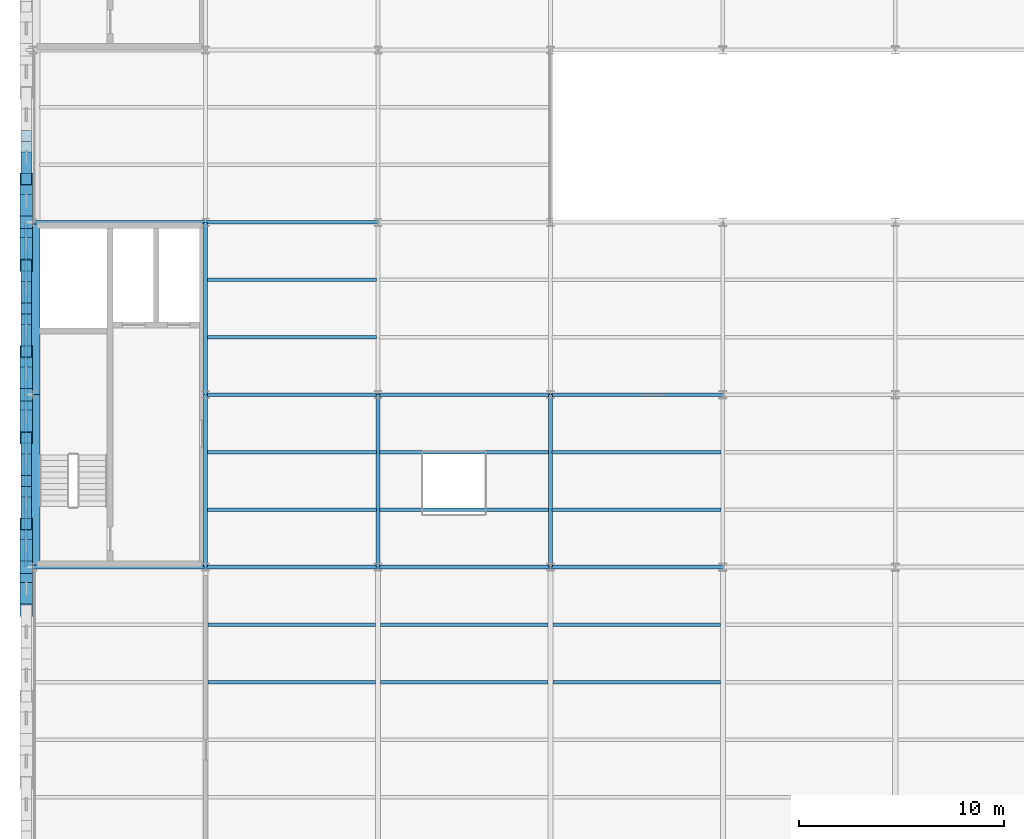
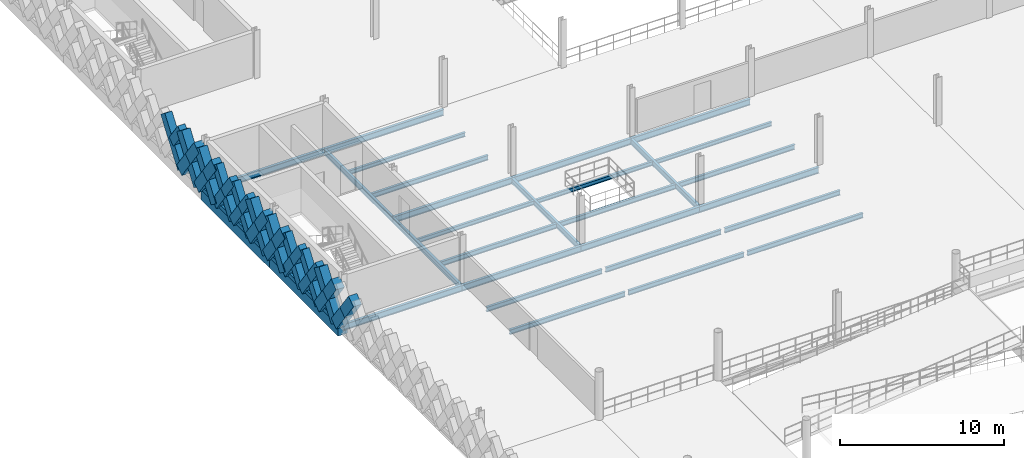
# One storey, part 21 of 79: 33 members, 29 beams.
"""IFC4 building model written with IfcOpenShell, lengths in metres."""

from ifc_helpers import new_model, si_unit, direction, frame, origin, origin_2d, place, context, subcontext, project, spatial, rectangle, hollow_rectangle, i_section, extrude, material, material_profile, profile_set, type_object, element, save


model = new_model("IFC4")

# Units and contexts
model_context = context("Model", 3, precision=1e-05, world=origin(), true_north=direction((0.0, 1.0)))
body_context = subcontext(model_context, "Body", "Model", "MODEL_VIEW")
ifc_project = project(units=[si_unit("LENGTHUNIT", "METRE"), si_unit("AREAUNIT", "SQUARE_METRE"), si_unit("VOLUMEUNIT", "CUBIC_METRE"), si_unit("PLANEANGLEUNIT", "RADIAN"), si_unit("MASSUNIT", "GRAM", prefix="KILO"), si_unit("THERMODYNAMICTEMPERATUREUNIT", "KELVIN"), si_unit("POWERUNIT", "WATT")], contexts=[model_context])

# Site, building, storey
site_placement = place(None, origin())
site = spatial("IfcSite", under=ifc_project, at=site_placement, CompositionType="ELEMENT")
building_placement = place(site_placement, origin())
building = spatial("IfcBuilding", under=site, at=building_placement, Name="Tembeka Court Mobility Hub", CompositionType="ELEMENT")
storey_placement = place(building_placement, frame((0.0, 0.0, 9.0)))
storey = spatial("IfcBuildingStorey", under=building, at=storey_placement, Name="L02", CompositionType="ELEMENT", Elevation=9.0)

# Beams
ifc_material_1 = material(Name="Steel S355", Category="steel")
ifc_material_profile_1 = material_profile(ifc_material_1, i_section(OverallWidth=0.18994140625, OverallDepth=0.45703125, WebThickness=0.009033203125, FlangeThickness=0.014404296875, FilletRadius=0.01025390625, at=origin_2d()), Name="UKB 457x191x74")
ifc_profile_set_1 = profile_set([ifc_material_profile_1], Name="Steel S355")
beam_type_1 = type_object("IfcBeamType", Name="BM-B01", PredefinedType="BEAM", material=ifc_profile_set_1)
beam_1_placement = place(storey_placement, frame((0.0, 38.39990234375, -0.448486328125), z_axis=(1.0, 0.0, 0.0), x_axis=(0.0, 1.0, 0.0)))
element("IfcBeam", 1, at=beam_1_placement, inside=storey, type_object=beam_type_1, Name="Beam B01 (BM-L02-X1209)", PredefinedType="BEAM", context=body_context, shape_type="SweptSolid", body=[
    extrude(i_section(OverallWidth=0.18994140625, OverallDepth=0.45703125, WebThickness=0.009033203125, FlangeThickness=0.014404296875, FilletRadius=0.01025390625, at=origin_2d()), origin(), (0.0, 0.0, 1.0), 8.39990234375),
])
beam_2_placement = place(storey_placement, frame((8.39990234375, 38.39990234375, -0.448486328125), z_axis=(1.0, 0.0, 0.0), x_axis=(0.0, 1.0, 0.0)))
element("IfcBeam", 2, at=beam_2_placement, inside=storey, type_object=beam_type_1, Name="Beam B01 (BM-L02-X1210)", PredefinedType="BEAM", context=body_context, shape_type="SweptSolid", body=[
    extrude(i_section(OverallWidth=0.18994140625, OverallDepth=0.45703125, WebThickness=0.009033203125, FlangeThickness=0.014404296875, FilletRadius=0.01025390625, at=origin_2d()), origin(), (0.0, 0.0, 1.0), 8.400146484375),
])
beam_3_placement = place(storey_placement, frame((16.800048828125, 38.39990234375, -0.448486328125), z_axis=(1.0, 0.0, 0.0), x_axis=(0.0, 1.0, 0.0)))
element("IfcBeam", 3, at=beam_3_placement, inside=storey, type_object=beam_type_1, Name="Beam B01 (BM-L02-X1211)", PredefinedType="BEAM", context=body_context, shape_type="SweptSolid", body=[
    extrude(i_section(OverallWidth=0.18994140625, OverallDepth=0.45703125, WebThickness=0.009033203125, FlangeThickness=0.014404296875, FilletRadius=0.01025390625, at=origin_2d()), origin(), (0.0, 0.0, 1.0), 8.39990234375),
])
for number, where, z_axis, x_axis, name in (
    (4, (25.199951171875, 38.39990234375, -0.448486328125), (1.0, 0.0, 0.0), (0.0, 1.0, 0.0), "Beam B01 (BM-L02-X1212)"),
    (5, (8.39990234375, 46.800048828125, -0.448486328125), (1.0, 0.0, 0.0), (0.0, 1.0, 0.0), "Beam B01 (BM-L02-X1225)"),
):
    element("IfcBeam", number, at=place(storey_placement, frame(where, z_axis=z_axis, x_axis=x_axis)), inside=storey, type_object=beam_type_1, Name=name, PredefinedType="BEAM", context=body_context, shape_type="SweptSolid", body=[
        extrude(i_section(OverallWidth=0.18994140625, OverallDepth=0.45703125, WebThickness=0.009033203125, FlangeThickness=0.014404296875, FilletRadius=0.01025390625, at=origin_2d()), origin(), (0.0, 0.0, 1.0), 8.400146484375),
    ])
beam_4_placement = place(storey_placement, frame((16.800048828125, 46.800048828125, -0.448486328125), z_axis=(1.0, 0.0, 0.0), x_axis=(0.0, 1.0, 0.0)))
element("IfcBeam", 6, at=beam_4_placement, inside=storey, type_object=beam_type_1, Name="Beam B01 (BM-L02-X1226)", PredefinedType="BEAM", context=body_context, shape_type="SweptSolid", body=[
    extrude(i_section(OverallWidth=0.18994140625, OverallDepth=0.45703125, WebThickness=0.009033203125, FlangeThickness=0.014404296875, FilletRadius=0.01025390625, at=origin_2d()), origin(), (0.0, 0.0, 1.0), 8.39990234375),
])
beam_5_placement = place(storey_placement, frame((25.199951171875, 46.800048828125, -0.448486328125), z_axis=(1.0, 0.0, 0.0), x_axis=(0.0, 1.0, 0.0)))
element("IfcBeam", 7, at=beam_5_placement, inside=storey, type_object=beam_type_1, Name="Beam B01 (BM-L02-X1227)", PredefinedType="BEAM", context=body_context, shape_type="SweptSolid", body=[
    extrude(i_section(OverallWidth=0.18994140625, OverallDepth=0.45703125, WebThickness=0.009033203125, FlangeThickness=0.014404296875, FilletRadius=0.01025390625, at=origin_2d()), origin(), (0.0, 0.0, 1.0), 8.400146484375),
])
beam_6_placement = place(storey_placement, frame((0.0, 55.199951171875, -0.448486328125), z_axis=(1.0, 0.0, 0.0), x_axis=(0.0, 1.0, 0.0)))
element("IfcBeam", 8, at=beam_6_placement, inside=storey, type_object=beam_type_1, Name="Beam B01 (BM-L02-X1239)", PredefinedType="BEAM", context=body_context, shape_type="SweptSolid", body=[
    extrude(i_section(OverallWidth=0.18994140625, OverallDepth=0.45703125, WebThickness=0.009033203125, FlangeThickness=0.014404296875, FilletRadius=0.01025390625, at=origin_2d()), origin(), (0.0, 0.0, 1.0), 8.39990234375),
])
beam_7_placement = place(storey_placement, frame((8.39990234375, 55.199951171875, -0.448486328125), z_axis=(1.0, 0.0, 0.0), x_axis=(0.0, 1.0, 0.0)))
element("IfcBeam", 9, at=beam_7_placement, inside=storey, type_object=beam_type_1, Name="Beam B01 (BM-L02-X1240)", PredefinedType="BEAM", context=body_context, shape_type="SweptSolid", body=[
    extrude(i_section(OverallWidth=0.18994140625, OverallDepth=0.45703125, WebThickness=0.009033203125, FlangeThickness=0.014404296875, FilletRadius=0.01025390625, at=origin_2d()), origin(), (0.0, 0.0, 1.0), 8.400146484375),
])
ifc_material_profile_2 = material_profile(ifc_material_1, i_section(OverallWidth=0.177978515625, OverallDepth=0.406005859375, WebThickness=0.0078125, FlangeThickness=0.0126953125, FilletRadius=0.01025390625, at=origin_2d()), Name="UKB 406x178x60")
ifc_profile_set_2 = profile_set([ifc_material_profile_2], Name="Steel S355")
beam_type_2 = type_object("IfcBeamType", Name="BM-B02", PredefinedType="BEAM", material=ifc_profile_set_2)
beam_8_placement = place(storey_placement, frame((8.39990234375, 38.39990234375, -0.423095703125), z_axis=(0.0, 1.0, 0.0), x_axis=(-1.0, 0.0, 0.0)))
element("IfcBeam", 10, at=beam_8_placement, inside=storey, type_object=beam_type_2, Name="Beam B02 (BM-L02-Y1321)", PredefinedType="BEAM", context=body_context, shape_type="SweptSolid", body=[
    extrude(i_section(OverallWidth=0.177978515625, OverallDepth=0.406005859375, WebThickness=0.0078125, FlangeThickness=0.0126953125, FilletRadius=0.01025390625, at=origin_2d()), origin(), (0.0, 0.0, 1.0), 8.400146484375),
])
beam_9_placement = place(storey_placement, frame((8.39990234375, 46.800048828125, -0.423095703125), z_axis=(0.0, 1.0, 0.0), x_axis=(-1.0, 0.0, 0.0)))
element("IfcBeam", 11, at=beam_9_placement, inside=storey, type_object=beam_type_2, Name="Beam B02 (BM-L02-Y1322)", PredefinedType="BEAM", context=body_context, shape_type="SweptSolid", body=[
    extrude(i_section(OverallWidth=0.177978515625, OverallDepth=0.406005859375, WebThickness=0.0078125, FlangeThickness=0.0126953125, FilletRadius=0.01025390625, at=origin_2d()), origin(), (0.0, 0.0, 1.0), 8.39990234375),
])
for number, where, z_axis, x_axis, name in (
    (12, (16.800048828125, 38.39990234375, -0.423095703125), (0.0, 1.0, 0.0), (-1.0, 0.0, 0.0), "Beam B02 (BM-L02-Y1332)"),
    (13, (25.199951171875, 38.39990234375, -0.423095703125), (0.0, 1.0, 0.0), (-1.0, 0.0, 0.0), "Beam B02 (BM-L02-Y1341)"),
):
    element("IfcBeam", number, at=place(storey_placement, frame(where, z_axis=z_axis, x_axis=x_axis)), inside=storey, type_object=beam_type_2, Name=name, PredefinedType="BEAM", context=body_context, shape_type="SweptSolid", body=[
        extrude(i_section(OverallWidth=0.177978515625, OverallDepth=0.406005859375, WebThickness=0.0078125, FlangeThickness=0.0126953125, FilletRadius=0.01025390625, at=origin_2d()), origin(), (0.0, 0.0, 1.0), 8.400146484375),
    ])
ifc_material_profile_3 = material_profile(ifc_material_1, i_section(OverallWidth=0.172119140625, OverallDepth=0.35498046875, WebThickness=0.00732421875, FlangeThickness=0.011474609375, FilletRadius=0.01025390625, at=origin_2d()), Name="UKB 356x171x51")
ifc_profile_set_3 = profile_set([ifc_material_profile_3], Name="Steel S355")
beam_type_3 = type_object("IfcBeamType", Name="BM-J01", PredefinedType="JOIST", material=ifc_profile_set_3)
for number, where, z_axis, x_axis, name in (
    (14, (8.52197265625, 32.800048828125, -0.3974609375), (1.0, 0.0, 0.0), (0.0, 1.0, 0.0), "Beam J01 (JST-L02-1454)"),
    (15, (8.52197265625, 35.60009765625, -0.3974609375), (1.0, 0.0, 0.0), (0.0, 1.0, 0.0), "Beam J01 (JST-L02-1455)"),
):
    element("IfcBeam", number, at=place(storey_placement, frame(where, z_axis=z_axis, x_axis=x_axis)), inside=storey, type_object=beam_type_3, Name=name, PredefinedType="JOIST", context=body_context, shape_type="SweptSolid", body=[
        extrude(i_section(OverallWidth=0.172119140625, OverallDepth=0.35498046875, WebThickness=0.00732421875, FlangeThickness=0.011474609375, FilletRadius=0.01025390625, at=origin_2d()), origin(), (0.0, 0.0, 1.0), 8.156005859375),
    ])
for number, where, z_axis, x_axis, name in (
    (16, (16.922119140625, 32.800048828125, -0.3974609375), (1.0, 0.0, 0.0), (0.0, 1.0, 0.0), "Beam J01 (JST-L02-1474)"),
    (17, (16.922119140625, 35.60009765625, -0.3974609375), (1.0, 0.0, 0.0), (0.0, 1.0, 0.0), "Beam J01 (JST-L02-1475)"),
):
    element("IfcBeam", number, at=place(storey_placement, frame(where, z_axis=z_axis, x_axis=x_axis)), inside=storey, type_object=beam_type_3, Name=name, PredefinedType="JOIST", context=body_context, shape_type="SweptSolid", body=[
        extrude(i_section(OverallWidth=0.172119140625, OverallDepth=0.35498046875, WebThickness=0.00732421875, FlangeThickness=0.011474609375, FilletRadius=0.01025390625, at=origin_2d()), origin(), (0.0, 0.0, 1.0), 8.15576171875),
    ])
for number, where, z_axis, x_axis, name in (
    (18, (25.322021484375, 32.800048828125, -0.3974609375), (1.0, 0.0, 0.0), (0.0, 1.0, 0.0), "Beam J01 (JST-L02-1494)"),
    (19, (25.322021484375, 35.60009765625, -0.3974609375), (1.0, 0.0, 0.0), (0.0, 1.0, 0.0), "Beam J01 (JST-L02-1495)"),
):
    element("IfcBeam", number, at=place(storey_placement, frame(where, z_axis=z_axis, x_axis=x_axis)), inside=storey, type_object=beam_type_3, Name=name, PredefinedType="JOIST", context=body_context, shape_type="SweptSolid", body=[
        extrude(i_section(OverallWidth=0.172119140625, OverallDepth=0.35498046875, WebThickness=0.00732421875, FlangeThickness=0.011474609375, FilletRadius=0.01025390625, at=origin_2d()), origin(), (0.0, 0.0, 1.0), 8.156005859375),
    ])
ifc_material_profile_4 = material_profile(ifc_material_1, i_section(OverallWidth=0.1650390625, OverallDepth=0.303955078125, WebThickness=0.006103515625, FlangeThickness=0.01025390625, FilletRadius=0.0087890625, at=origin_2d()), Name="UKB 305x165x40")
ifc_profile_set_4 = profile_set([ifc_material_profile_4], Name="Steel S355")
beam_type_4 = type_object("IfcBeamType", Name="BM-J02", PredefinedType="JOIST", material=ifc_profile_set_4)
for number, where, z_axis, x_axis, name in (
    (20, (8.48388671875, 44.0, -0.3720703125), (1.0, 0.0, 0.0), (0.0, 1.0, 0.0), "Beam J02 (JST-L02-1457)"),
    (21, (8.48388671875, 52.39990234375, -0.3720703125), (1.0, 0.0, 0.0), (0.0, 1.0, 0.0), "Beam J02 (JST-L02-1459)"),
):
    element("IfcBeam", number, at=place(storey_placement, frame(where, z_axis=z_axis, x_axis=x_axis)), inside=storey, type_object=beam_type_4, Name=name, PredefinedType="JOIST", context=body_context, shape_type="SweptSolid", body=[
        extrude(i_section(OverallWidth=0.1650390625, OverallDepth=0.303955078125, WebThickness=0.006103515625, FlangeThickness=0.01025390625, FilletRadius=0.0087890625, at=origin_2d()), origin(), (0.0, 0.0, 1.0), 8.232177734375),
    ])
beam_10_placement = place(storey_placement, frame((16.884033203125, 44.0, -0.3720703125), z_axis=(1.0, 0.0, 0.0), x_axis=(0.0, 1.0, 0.0)))
element("IfcBeam", 22, at=beam_10_placement, inside=storey, type_object=beam_type_4, Name="Beam J02 (JST-L02-1477)", PredefinedType="JOIST", context=body_context, shape_type="SweptSolid", body=[
    extrude(i_section(OverallWidth=0.1650390625, OverallDepth=0.303955078125, WebThickness=0.006103515625, FlangeThickness=0.01025390625, FilletRadius=0.0087890625, at=origin_2d()), origin(), (0.0, 0.0, 1.0), 8.23193359375),
])
beam_11_placement = place(storey_placement, frame((25.283935546875, 44.0, -0.3720703125), z_axis=(1.0, 0.0, 0.0), x_axis=(0.0, 1.0, 0.0)))
element("IfcBeam", 23, at=beam_11_placement, inside=storey, type_object=beam_type_4, Name="Beam J02 (JST-L02-1497)", PredefinedType="JOIST", context=body_context, shape_type="SweptSolid", body=[
    extrude(i_section(OverallWidth=0.1650390625, OverallDepth=0.303955078125, WebThickness=0.006103515625, FlangeThickness=0.01025390625, FilletRadius=0.0087890625, at=origin_2d()), origin(), (0.0, 0.0, 1.0), 8.232177734375),
])
ifc_material_profile_5 = material_profile(ifc_material_1, i_section(OverallWidth=0.169921875, OverallDepth=0.360107421875, WebThickness=0.008056640625, FlangeThickness=0.0126953125, FilletRadius=0.01806640625, at=origin_2d()), Name="IPE 360")
ifc_profile_set_5 = profile_set([ifc_material_profile_5], Name="Steel S355")
beam_type_5 = type_object("IfcBeamType", Name="BM-J03", PredefinedType="JOIST", material=ifc_profile_set_5)
for number, where, z_axis, x_axis, name in (
    (24, (8.48388671875, 41.199951171875, -0.39990234375), (1.0, 0.0, 0.0), (0.0, 1.0, 0.0), "Beam J03 (JST-L02-1456)"),
    (25, (8.48388671875, 49.60009765625, -0.39990234375), (1.0, 0.0, 0.0), (0.0, 1.0, 0.0), "Beam J03 (JST-L02-1458)"),
):
    element("IfcBeam", number, at=place(storey_placement, frame(where, z_axis=z_axis, x_axis=x_axis)), inside=storey, type_object=beam_type_5, Name=name, PredefinedType="JOIST", context=body_context, shape_type="SweptSolid", body=[
        extrude(i_section(OverallWidth=0.169921875, OverallDepth=0.360107421875, WebThickness=0.008056640625, FlangeThickness=0.0126953125, FilletRadius=0.01806640625, at=origin_2d()), origin(), (0.0, 0.0, 1.0), 8.232177734375),
    ])
beam_12_placement = place(storey_placement, frame((16.884033203125, 41.199951171875, -0.39990234375), z_axis=(1.0, 0.0, 0.0), x_axis=(0.0, 1.0, 0.0)))
element("IfcBeam", 26, at=beam_12_placement, inside=storey, type_object=beam_type_5, Name="Beam J03 (JST-L02-1476)", PredefinedType="JOIST", context=body_context, shape_type="SweptSolid", body=[
    extrude(i_section(OverallWidth=0.169921875, OverallDepth=0.360107421875, WebThickness=0.008056640625, FlangeThickness=0.0126953125, FilletRadius=0.01806640625, at=origin_2d()), origin(), (0.0, 0.0, 1.0), 8.23193359375),
])
beam_13_placement = place(storey_placement, frame((25.283935546875, 41.199951171875, -0.39990234375), z_axis=(1.0, 0.0, 0.0), x_axis=(0.0, 1.0, 0.0)))
element("IfcBeam", 27, at=beam_13_placement, inside=storey, type_object=beam_type_5, Name="Beam J03 (JST-L02-1496)", PredefinedType="JOIST", context=body_context, shape_type="SweptSolid", body=[
    extrude(i_section(OverallWidth=0.169921875, OverallDepth=0.360107421875, WebThickness=0.008056640625, FlangeThickness=0.0126953125, FilletRadius=0.01806640625, at=origin_2d()), origin(), (0.0, 0.0, 1.0), 8.232177734375),
])
ifc_material_2 = material(Name="Precast concrete C45/55", Category="concrete")
ifc_material_profile_6 = material_profile(ifc_material_2, rectangle(XDim=0.64990234375, YDim=0.800048828125, at=origin_2d()), Name="PC-SP 650x800")
ifc_profile_set_6 = profile_set([ifc_material_profile_6], Name="Precast concrete C45/55")
beam_type_6 = type_object("IfcBeamType", Name="BM-SP01", PredefinedType="SPANDREL", material=ifc_profile_set_6)
beam_14_placement = place(storey_placement, frame((0.0, 38.39990234375, -0.6201171875), z_axis=(0.0, 1.0, 0.0), x_axis=(-1.0, 0.0, 0.0)))
element("IfcBeam", 28, at=beam_14_placement, inside=storey, type_object=beam_type_6, Name="Beam SP01 (BM-L02-Y1310)", PredefinedType="SPANDREL", context=body_context, shape_type="SweptSolid", body=[
    extrude(rectangle(XDim=0.64990234375, YDim=0.800048828125, at=origin_2d()), origin(), (0.0, 0.0, 1.0), 8.400146484375),
])
beam_15_placement = place(storey_placement, frame((0.0, 46.800048828125, -0.6201171875), z_axis=(0.0, 1.0, 0.0), x_axis=(-1.0, 0.0, 0.0)))
element("IfcBeam", 29, at=beam_15_placement, inside=storey, type_object=beam_type_6, Name="Beam SP01 (BM-L02-Y1311)", PredefinedType="SPANDREL", context=body_context, shape_type="SweptSolid", body=[
    extrude(rectangle(XDim=0.64990234375, YDim=0.800048828125, at=origin_2d()), origin(), (0.0, 0.0, 1.0), 8.39990234375),
])

# Members
ifc_material_profile_7 = material_profile(ifc_material_2, rectangle(XDim=0.5, YDim=0.64990234375, at=origin_2d()), Name="PC-DIAG 500x650")
ifc_profile_set_7 = profile_set([ifc_material_profile_7], Name="Precast concrete C45/55")
member_type_1 = type_object("IfcMemberType", Name="MEM-DL01", PredefinedType="BRACE", material=ifc_profile_set_7)
member_1_placement = place(storey_placement, frame((-0.340087890625, 40.5, 0.02001953125), z_axis=(0.0, 0.582576362011, 0.812775973086), x_axis=(-1.0, 0.0, 0.0)))
element("IfcMember", 30, at=member_1_placement, inside=storey, type_object=member_type_1, Name="Precast diamond lattice continuous strand DL01 (L02-296C)", PredefinedType="BRACE", context=body_context, shape_type="SweptSolid", body=[
    extrude(rectangle(XDim=0.5, YDim=0.64990234375, at=origin_2d()), origin(), (0.0, 0.0, 1.0), 3.604736328125),
])
member_2_placement = place(storey_placement, frame((-0.340087890625, 42.60009765625, 0.02001953125), z_axis=(0.0, -0.582544294934, 0.812798956963), x_axis=(1.0, 0.0, 0.0)))
element("IfcMember", 31, at=member_2_placement, inside=storey, type_object=member_type_1, Name="Precast diamond lattice split lower strand DL01 (L02-296D1)", PredefinedType="BRACE", context=body_context, shape_type="SweptSolid", body=[
    extrude(rectangle(XDim=0.5, YDim=0.64990234375, at=origin_2d()), origin(), (0.0, 0.0, 1.0), 1.802490234375),
])
member_3_placement = place(storey_placement, frame((-0.340087890625, 41.550048828125, 1.485107421875), z_axis=(0.0, -0.582608431711, 0.812752985414), x_axis=(1.0, 0.0, 0.0)))
element("IfcMember", 32, at=member_3_placement, inside=storey, type_object=member_type_1, Name="Precast diamond lattice split upper strand DL01 (L02-296D2)", PredefinedType="BRACE", context=body_context, shape_type="SweptSolid", body=[
    extrude(rectangle(XDim=0.5, YDim=0.64990234375, at=origin_2d()), origin(), (0.0, 0.0, 1.0), 1.80224609375),
])
member_4_placement = place(storey_placement, frame((-0.340087890625, 42.60009765625, 0.02001953125), z_axis=(0.0, 0.58253161945, 0.812808041509), x_axis=(-1.0, 0.0, 0.0)))
element("IfcMember", 33, at=member_4_placement, inside=storey, type_object=member_type_1, Name="Precast diamond lattice continuous strand DL01 (L02-297C)", PredefinedType="BRACE", context=body_context, shape_type="SweptSolid", body=[
    extrude(rectangle(XDim=0.5, YDim=0.64990234375, at=origin_2d()), origin(), (0.0, 0.0, 1.0), 3.604736328125),
])
member_5_placement = place(storey_placement, frame((-0.340087890625, 44.699951171875, 0.02001953125), z_axis=(0.0, -0.582544294934, 0.812798956963), x_axis=(1.0, 0.0, 0.0)))
element("IfcMember", 34, at=member_5_placement, inside=storey, type_object=member_type_1, Name="Precast diamond lattice split lower strand DL01 (L02-297D1)", PredefinedType="BRACE", context=body_context, shape_type="SweptSolid", body=[
    extrude(rectangle(XDim=0.5, YDim=0.64990234375, at=origin_2d()), origin(), (0.0, 0.0, 1.0), 1.802490234375),
])
member_6_placement = place(storey_placement, frame((-0.340087890625, 43.64990234375, 1.485107421875), z_axis=(0.0, -0.582518941428, 0.812817127574), x_axis=(1.0, 0.0, 0.0)))
element("IfcMember", 35, at=member_6_placement, inside=storey, type_object=member_type_1, Name="Precast diamond lattice split upper strand DL01 (L02-297D2)", PredefinedType="BRACE", context=body_context, shape_type="SweptSolid", body=[
    extrude(rectangle(XDim=0.5, YDim=0.64990234375, at=origin_2d()), origin(), (0.0, 0.0, 1.0), 1.80224609375),
])
member_7_placement = place(storey_placement, frame((-0.340087890625, 48.89990234375, 0.02001953125), z_axis=(0.0, 0.582576362011, 0.812775973086), x_axis=(-1.0, 0.0, 0.0)))
element("IfcMember", 36, at=member_7_placement, inside=storey, type_object=member_type_1, Name="Precast diamond lattice continuous strand DL01 (L02-300C)", PredefinedType="BRACE", context=body_context, shape_type="SweptSolid", body=[
    extrude(rectangle(XDim=0.5, YDim=0.64990234375, at=origin_2d()), origin(), (0.0, 0.0, 1.0), 3.604736328125),
])
member_8_placement = place(storey_placement, frame((-0.340087890625, 51.0, 0.02001953125), z_axis=(0.0, -0.582544294934, 0.812798956963), x_axis=(1.0, 0.0, 0.0)))
element("IfcMember", 37, at=member_8_placement, inside=storey, type_object=member_type_1, Name="Precast diamond lattice split lower strand DL01 (L02-300D1)", PredefinedType="BRACE", context=body_context, shape_type="SweptSolid", body=[
    extrude(rectangle(XDim=0.5, YDim=0.64990234375, at=origin_2d()), origin(), (0.0, 0.0, 1.0), 1.802490234375),
])
member_9_placement = place(storey_placement, frame((-0.340087890625, 49.949951171875, 1.485107421875), z_axis=(0.0, -0.582608431711, 0.812752985414), x_axis=(1.0, 0.0, 0.0)))
element("IfcMember", 38, at=member_9_placement, inside=storey, type_object=member_type_1, Name="Precast diamond lattice split upper strand DL01 (L02-300D2)", PredefinedType="BRACE", context=body_context, shape_type="SweptSolid", body=[
    extrude(rectangle(XDim=0.5, YDim=0.64990234375, at=origin_2d()), origin(), (0.0, 0.0, 1.0), 1.80224609375),
])
member_10_placement = place(storey_placement, frame((-0.340087890625, 51.0, 0.02001953125), z_axis=(0.0, 0.582576362011, 0.812775973086), x_axis=(-1.0, 0.0, 0.0)))
element("IfcMember", 39, at=member_10_placement, inside=storey, type_object=member_type_1, Name="Precast diamond lattice continuous strand DL01 (L02-301C)", PredefinedType="BRACE", context=body_context, shape_type="SweptSolid", body=[
    extrude(rectangle(XDim=0.5, YDim=0.64990234375, at=origin_2d()), origin(), (0.0, 0.0, 1.0), 3.604736328125),
])
member_11_placement = place(storey_placement, frame((-0.340087890625, 53.10009765625, 0.02001953125), z_axis=(0.0, -0.582544294934, 0.812798956963), x_axis=(1.0, 0.0, 0.0)))
element("IfcMember", 40, at=member_11_placement, inside=storey, type_object=member_type_1, Name="Precast diamond lattice split lower strand DL01 (L02-301D1)", PredefinedType="BRACE", context=body_context, shape_type="SweptSolid", body=[
    extrude(rectangle(XDim=0.5, YDim=0.64990234375, at=origin_2d()), origin(), (0.0, 0.0, 1.0), 1.802490234375),
])
member_12_placement = place(storey_placement, frame((-0.340087890625, 52.050048828125, 1.485107421875), z_axis=(0.0, -0.582608431711, 0.812752985414), x_axis=(1.0, 0.0, 0.0)))
element("IfcMember", 41, at=member_12_placement, inside=storey, type_object=member_type_1, Name="Precast diamond lattice split upper strand DL01 (L02-301D2)", PredefinedType="BRACE", context=body_context, shape_type="SweptSolid", body=[
    extrude(rectangle(XDim=0.5, YDim=0.64990234375, at=origin_2d()), origin(), (0.0, 0.0, 1.0), 1.80224609375),
])
member_13_placement = place(storey_placement, frame((-0.340087890625, 57.300048828125, 0.02001953125), z_axis=(0.0, 0.58253161945, 0.812808041509), x_axis=(-1.0, 0.0, 0.0)))
element("IfcMember", 42, at=member_13_placement, inside=storey, type_object=member_type_1, Name="Precast diamond lattice continuous strand DL01 (L02-304C)", PredefinedType="BRACE", context=body_context, shape_type="SweptSolid", body=[
    extrude(rectangle(XDim=0.5, YDim=0.64990234375, at=origin_2d()), origin(), (0.0, 0.0, 1.0), 3.604736328125),
])
member_14_placement = place(storey_placement, frame((-0.340087890625, 58.35009765625, 1.485107421875), z_axis=(0.0, -0.582608431711, 0.812752985414), x_axis=(1.0, 0.0, 0.0)))
element("IfcMember", 43, at=member_14_placement, inside=storey, type_object=member_type_1, Name="Precast diamond lattice split upper strand DL01 (L02-304D2)", PredefinedType="BRACE", context=body_context, shape_type="SweptSolid", body=[
    extrude(rectangle(XDim=0.5, YDim=0.64990234375, at=origin_2d()), origin(), (0.0, 0.0, 1.0), 1.80224609375),
])
ifc_material_profile_8 = material_profile(ifc_material_2, rectangle(XDim=0.60009765625, YDim=0.75, at=origin_2d()), Name="PC-DIAG 600x750")
ifc_profile_set_8 = profile_set([ifc_material_profile_8], Name="Precast concrete C45/55")
member_type_2 = type_object("IfcMemberType", Name="MEM-DL02", PredefinedType="BRACE", material=ifc_profile_set_8)
member_15_placement = place(storey_placement, frame((-0.340087890625, 38.39990234375, 0.02001953125), z_axis=(0.0, -0.582454804382, 0.812863088627), x_axis=(1.0, 0.0, 0.0)))
element("IfcMember", 44, at=member_15_placement, inside=storey, type_object=member_type_2, Name="Precast diamond lattice split lower strand DL02 (L02-294D1)", PredefinedType="BRACE", context=body_context, shape_type="SweptSolid", body=[
    extrude(rectangle(XDim=0.60009765625, YDim=0.75, at=origin_2d()), origin(), (0.0, 0.0, 1.0), 1.802490234375),
])
member_16_placement = place(storey_placement, frame((-0.340087890625, 37.35009765625, 1.485107421875), z_axis=(0.0, -0.582608431711, 0.812752985414), x_axis=(1.0, 0.0, 0.0)))
element("IfcMember", 45, at=member_16_placement, inside=storey, type_object=member_type_2, Name="Precast diamond lattice split upper strand DL02 (L02-294D2)", PredefinedType="BRACE", context=body_context, shape_type="SweptSolid", body=[
    extrude(rectangle(XDim=0.60009765625, YDim=0.75, at=origin_2d()), origin(), (0.0, 0.0, 1.0), 1.80224609375),
])
member_17_placement = place(storey_placement, frame((-0.340087890625, 38.39990234375, 0.02001953125), z_axis=(0.0, 0.582576362011, 0.812775973086), x_axis=(-1.0, 0.0, 0.0)))
element("IfcMember", 46, at=member_17_placement, inside=storey, type_object=member_type_2, Name="Precast diamond lattice continuous strand DL02 (L02-295C)", PredefinedType="BRACE", context=body_context, shape_type="SweptSolid", body=[
    extrude(rectangle(XDim=0.60009765625, YDim=0.75, at=origin_2d()), origin(), (0.0, 0.0, 1.0), 3.604736328125),
])
member_18_placement = place(storey_placement, frame((-0.340087890625, 40.5, 0.02001953125), z_axis=(0.0, -0.582544294934, 0.812798956963), x_axis=(1.0, 0.0, 0.0)))
element("IfcMember", 47, at=member_18_placement, inside=storey, type_object=member_type_2, Name="Precast diamond lattice split lower strand DL02 (L02-295D1)", PredefinedType="BRACE", context=body_context, shape_type="SweptSolid", body=[
    extrude(rectangle(XDim=0.60009765625, YDim=0.75, at=origin_2d()), origin(), (0.0, 0.0, 1.0), 1.802490234375),
])
member_19_placement = place(storey_placement, frame((-0.340087890625, 39.449951171875, 1.485107421875), z_axis=(0.0, -0.582608431711, 0.812752985414), x_axis=(1.0, 0.0, 0.0)))
element("IfcMember", 48, at=member_19_placement, inside=storey, type_object=member_type_2, Name="Precast diamond lattice split upper strand DL02 (L02-295D2)", PredefinedType="BRACE", context=body_context, shape_type="SweptSolid", body=[
    extrude(rectangle(XDim=0.60009765625, YDim=0.75, at=origin_2d()), origin(), (0.0, 0.0, 1.0), 1.80224609375),
])
member_20_placement = place(storey_placement, frame((-0.340087890625, 44.699951171875, 0.02001953125), z_axis=(0.0, 0.582576362011, 0.812775973086), x_axis=(-1.0, 0.0, 0.0)))
element("IfcMember", 49, at=member_20_placement, inside=storey, type_object=member_type_2, Name="Precast diamond lattice continuous strand DL02 (L02-298C)", PredefinedType="BRACE", context=body_context, shape_type="SweptSolid", body=[
    extrude(rectangle(XDim=0.60009765625, YDim=0.75, at=origin_2d()), origin(), (0.0, 0.0, 1.0), 3.604736328125),
])
member_21_placement = place(storey_placement, frame((-0.340087890625, 46.800048828125, 0.02001953125), z_axis=(0.0, -0.582544294934, 0.812798956963), x_axis=(1.0, 0.0, 0.0)))
element("IfcMember", 50, at=member_21_placement, inside=storey, type_object=member_type_2, Name="Precast diamond lattice split lower strand DL02 (L02-298D1)", PredefinedType="BRACE", context=body_context, shape_type="SweptSolid", body=[
    extrude(rectangle(XDim=0.60009765625, YDim=0.75, at=origin_2d()), origin(), (0.0, 0.0, 1.0), 1.802490234375),
])
member_22_placement = place(storey_placement, frame((-0.340087890625, 45.75, 1.485107421875), z_axis=(0.0, -0.582608431711, 0.812752985414), x_axis=(1.0, 0.0, 0.0)))
element("IfcMember", 51, at=member_22_placement, inside=storey, type_object=member_type_2, Name="Precast diamond lattice split upper strand DL02 (L02-298D2)", PredefinedType="BRACE", context=body_context, shape_type="SweptSolid", body=[
    extrude(rectangle(XDim=0.60009765625, YDim=0.75, at=origin_2d()), origin(), (0.0, 0.0, 1.0), 1.80224609375),
])
member_23_placement = place(storey_placement, frame((-0.340087890625, 46.800048828125, 0.02001953125), z_axis=(0.0, 0.58253161945, 0.812808041509), x_axis=(-1.0, 0.0, 0.0)))
element("IfcMember", 52, at=member_23_placement, inside=storey, type_object=member_type_2, Name="Precast diamond lattice continuous strand DL02 (L02-299C)", PredefinedType="BRACE", context=body_context, shape_type="SweptSolid", body=[
    extrude(rectangle(XDim=0.60009765625, YDim=0.75, at=origin_2d()), origin(), (0.0, 0.0, 1.0), 3.604736328125),
])
member_24_placement = place(storey_placement, frame((-0.340087890625, 48.89990234375, 0.02001953125), z_axis=(0.0, -0.582454804382, 0.812863088627), x_axis=(1.0, 0.0, 0.0)))
element("IfcMember", 53, at=member_24_placement, inside=storey, type_object=member_type_2, Name="Precast diamond lattice split lower strand DL02 (L02-299D1)", PredefinedType="BRACE", context=body_context, shape_type="SweptSolid", body=[
    extrude(rectangle(XDim=0.60009765625, YDim=0.75, at=origin_2d()), origin(), (0.0, 0.0, 1.0), 1.802490234375),
])
member_25_placement = place(storey_placement, frame((-0.340087890625, 47.85009765625, 1.485107421875), z_axis=(0.0, -0.582608431711, 0.812752985414), x_axis=(1.0, 0.0, 0.0)))
element("IfcMember", 54, at=member_25_placement, inside=storey, type_object=member_type_2, Name="Precast diamond lattice split upper strand DL02 (L02-299D2)", PredefinedType="BRACE", context=body_context, shape_type="SweptSolid", body=[
    extrude(rectangle(XDim=0.60009765625, YDim=0.75, at=origin_2d()), origin(), (0.0, 0.0, 1.0), 1.80224609375),
])
member_26_placement = place(storey_placement, frame((-0.340087890625, 53.10009765625, 0.02001953125), z_axis=(0.0, 0.58253161945, 0.812808041509), x_axis=(-1.0, 0.0, 0.0)))
element("IfcMember", 55, at=member_26_placement, inside=storey, type_object=member_type_2, Name="Precast diamond lattice continuous strand DL02 (L02-302C)", PredefinedType="BRACE", context=body_context, shape_type="SweptSolid", body=[
    extrude(rectangle(XDim=0.60009765625, YDim=0.75, at=origin_2d()), origin(), (0.0, 0.0, 1.0), 3.604736328125),
])
member_27_placement = place(storey_placement, frame((-0.340087890625, 55.199951171875, 0.02001953125), z_axis=(0.0, -0.582544294934, 0.812798956963), x_axis=(1.0, 0.0, 0.0)))
element("IfcMember", 56, at=member_27_placement, inside=storey, type_object=member_type_2, Name="Precast diamond lattice split lower strand DL02 (L02-302D1)", PredefinedType="BRACE", context=body_context, shape_type="SweptSolid", body=[
    extrude(rectangle(XDim=0.60009765625, YDim=0.75, at=origin_2d()), origin(), (0.0, 0.0, 1.0), 1.802490234375),
])
member_28_placement = place(storey_placement, frame((-0.340087890625, 54.14990234375, 1.485107421875), z_axis=(0.0, -0.582518941428, 0.812817127574), x_axis=(1.0, 0.0, 0.0)))
element("IfcMember", 57, at=member_28_placement, inside=storey, type_object=member_type_2, Name="Precast diamond lattice split upper strand DL02 (L02-302D2)", PredefinedType="BRACE", context=body_context, shape_type="SweptSolid", body=[
    extrude(rectangle(XDim=0.60009765625, YDim=0.75, at=origin_2d()), origin(), (0.0, 0.0, 1.0), 1.80224609375),
])
member_29_placement = place(storey_placement, frame((-0.340087890625, 55.199951171875, 0.02001953125), z_axis=(0.0, 0.582576362011, 0.812775973086), x_axis=(-1.0, 0.0, 0.0)))
element("IfcMember", 58, at=member_29_placement, inside=storey, type_object=member_type_2, Name="Precast diamond lattice continuous strand DL02 (L02-303C)", PredefinedType="BRACE", context=body_context, shape_type="SweptSolid", body=[
    extrude(rectangle(XDim=0.60009765625, YDim=0.75, at=origin_2d()), origin(), (0.0, 0.0, 1.0), 3.604736328125),
])
member_30_placement = place(storey_placement, frame((-0.340087890625, 57.300048828125, 0.02001953125), z_axis=(0.0, -0.582544294934, 0.812798956963), x_axis=(1.0, 0.0, 0.0)))
element("IfcMember", 59, at=member_30_placement, inside=storey, type_object=member_type_2, Name="Precast diamond lattice split lower strand DL02 (L02-303D1)", PredefinedType="BRACE", context=body_context, shape_type="SweptSolid", body=[
    extrude(rectangle(XDim=0.60009765625, YDim=0.75, at=origin_2d()), origin(), (0.0, 0.0, 1.0), 1.802490234375),
])
member_31_placement = place(storey_placement, frame((-0.340087890625, 56.25, 1.485107421875), z_axis=(0.0, -0.582608431711, 0.812752985414), x_axis=(1.0, 0.0, 0.0)))
element("IfcMember", 60, at=member_31_placement, inside=storey, type_object=member_type_2, Name="Precast diamond lattice split upper strand DL02 (L02-303D2)", PredefinedType="BRACE", context=body_context, shape_type="SweptSolid", body=[
    extrude(rectangle(XDim=0.60009765625, YDim=0.75, at=origin_2d()), origin(), (0.0, 0.0, 1.0), 1.80224609375),
])
ifc_material_profile_9 = material_profile(ifc_material_1, hollow_rectangle(XDim=0.14990234375, YDim=0.300048828125, WallThickness=0.010009765625, at=origin_2d()), Name="RHS 300x150x10")
ifc_profile_set_9 = profile_set([ifc_material_profile_9], Name="Steel S355")
member_type_3 = type_object("IfcMemberType", Name="MEM-ST03", PredefinedType="STRUT", material=ifc_profile_set_9)
member_32_placement = place(storey_placement, frame((-0.340087890625, 38.39990234375, 0.02001953125), z_axis=(0.0, 1.0, 0.0), x_axis=(-1.0, 0.0, 0.0)))
element("IfcMember", 61, at=member_32_placement, inside=storey, type_object=member_type_3, Name="Proud lattice sill tie chord SR03 (L02-W-38)", PredefinedType="STRUT", context=body_context, shape_type="SweptSolid", body=[
    extrude(hollow_rectangle(XDim=0.14990234375, YDim=0.300048828125, WallThickness=0.010009765625, at=origin_2d()), origin(), (0.0, 0.0, 1.0), 8.400146484375),
])
member_33_placement = place(storey_placement, frame((-0.340087890625, 46.800048828125, 0.02001953125), z_axis=(0.0, 1.0, 0.0), x_axis=(-1.0, 0.0, 0.0)))
element("IfcMember", 62, at=member_33_placement, inside=storey, type_object=member_type_3, Name="Proud lattice sill tie chord SR03 (L02-W-46)", PredefinedType="STRUT", context=body_context, shape_type="SweptSolid", body=[
    extrude(hollow_rectangle(XDim=0.14990234375, YDim=0.300048828125, WallThickness=0.010009765625, at=origin_2d()), origin(), (0.0, 0.0, 1.0), 8.39990234375),
])

save(model, "model.ifc")
